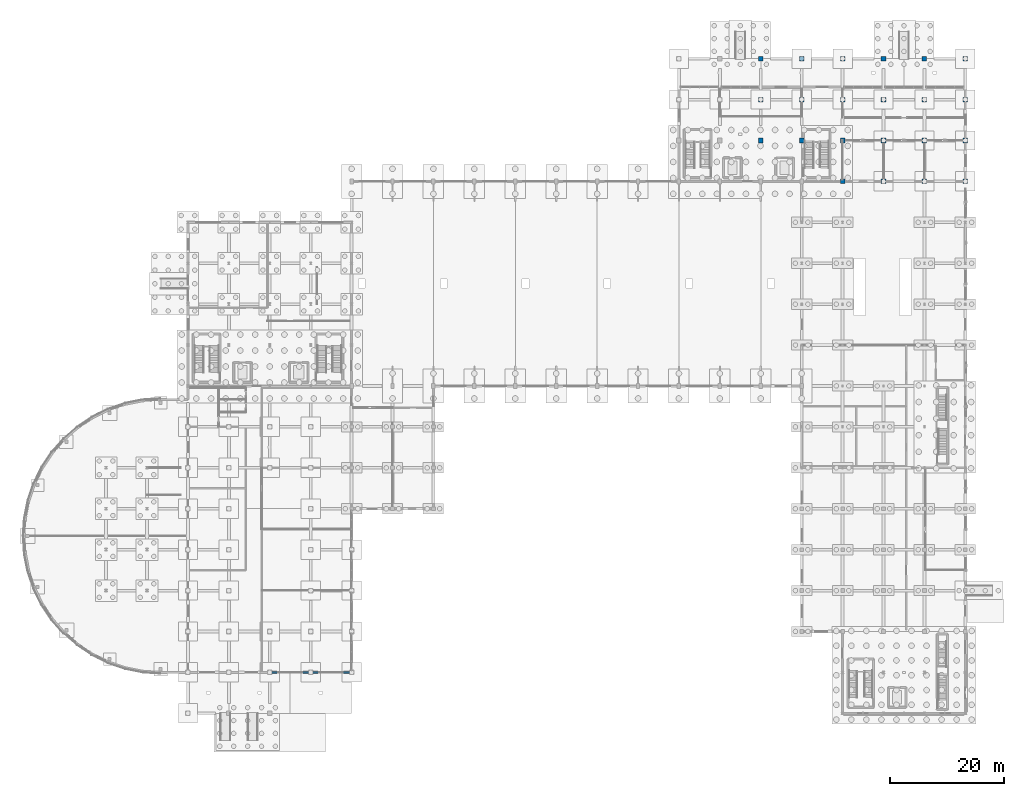
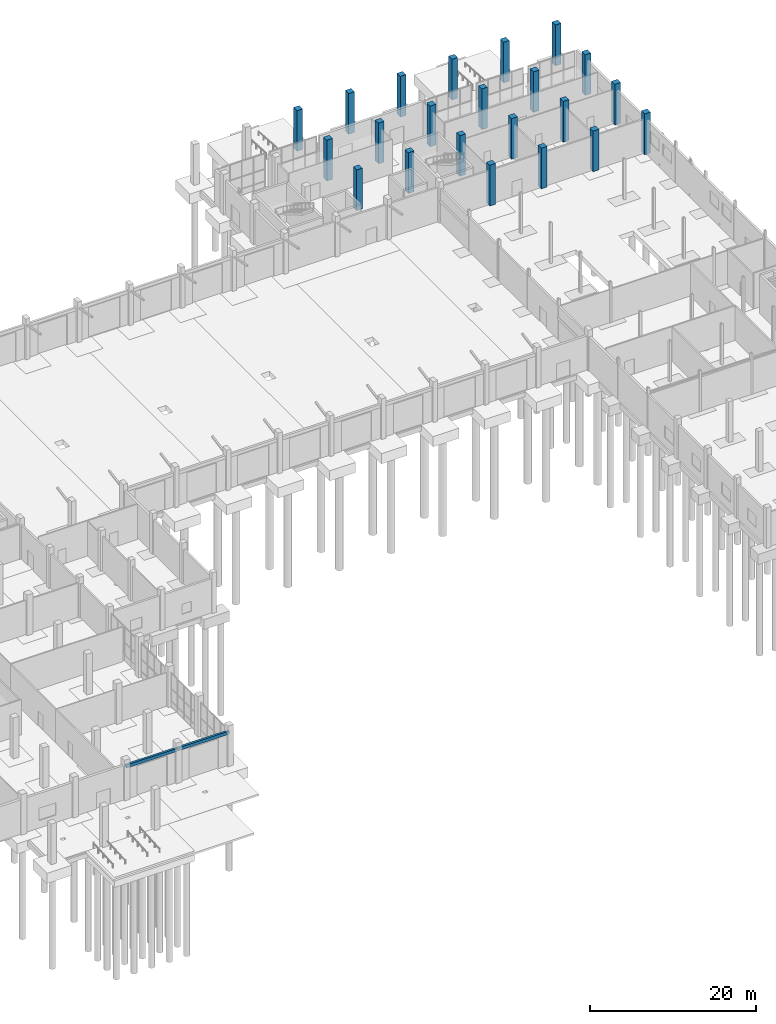
# One storey, part 14 of 45: 22 columns, 2 beams.
"""IFC4 building model written with IfcOpenShell, lengths in metres."""

from ifc_helpers import new_model, si_unit, direction, frame, origin, origin_2d, place, context, subcontext, project, spatial, rectangle, extrude, material, material_profile, profile_set, type_object, element, save


model = new_model("IFC4")

# Units and contexts
model_context = context("Model", 3, precision=1e-05, world=origin(), true_north=direction((0.0, 1.0)))
body_context = subcontext(model_context, "Body", "Model", "MODEL_VIEW")
ifc_project = project(units=[si_unit("LENGTHUNIT", "METRE"), si_unit("AREAUNIT", "SQUARE_METRE"), si_unit("VOLUMEUNIT", "CUBIC_METRE"), si_unit("PLANEANGLEUNIT", "RADIAN"), si_unit("MASSUNIT", "GRAM", prefix="KILO")], contexts=[model_context])

# Site, building, storey
site_placement = place(None, origin())
site = spatial("IfcSite", under=ifc_project, at=site_placement, CompositionType="ELEMENT")
building_placement = place(site_placement, origin())
building = spatial("IfcBuilding", under=site, at=building_placement, Name="Yarey Park Central Fire Station", CompositionType="ELEMENT")
storey_placement = place(building_placement, origin())
storey = spatial("IfcBuildingStorey", under=building, at=storey_placement, Name="L01", CompositionType="ELEMENT", Elevation=0.0)

# Columns
ifc_material_1 = material(Name="Concrete C40/50", Category="concrete")
ifc_material_profile_1 = material_profile(ifc_material_1, rectangle(XDim=0.800048828125, YDim=0.800048828125, at=origin_2d()), Name="RC 800x800")
ifc_profile_set_1 = profile_set([ifc_material_profile_1], Name="Concrete C40/50")
column_type_1 = type_object("IfcColumnType", Name="STR_COL_RC800_EXT", PredefinedType="COLUMN", material=ifc_profile_set_1)
for number, where, z_axis, x_axis, name in (
    (1, (129.60009765625, 115.199951171875, 0.0), (0.0, 0.0, 1.0), (1.0, 0.0, 0.0), "COL_L01_X1296_Y1152"),
    (2, (136.800048828125, 115.199951171875, 0.0), (0.0, 0.0, 1.0), (1.0, 0.0, 0.0), "COL_L01_X1368_Y1152"),
    (3, (144.0, 93.60009765625, 0.0), (0.0, 0.0, 1.0), (1.0, 0.0, 0.0), "COL_L01_X1440_Y936"),
    (4, (144.0, 115.199951171875, 0.0), (0.0, 0.0, 1.0), (1.0, 0.0, 0.0), "COL_L01_X1440_Y1152"),
    (5, (151.199951171875, 93.60009765625, 0.0), (0.0, 0.0, 1.0), (1.0, 0.0, 0.0), "COL_L01_X1512_Y936"),
    (6, (151.199951171875, 115.199951171875, 0.0), (0.0, 0.0, 1.0), (1.0, 0.0, 0.0), "COL_L01_X1512_Y1152"),
    (7, (158.39990234375, 93.60009765625, 0.0), (0.0, 0.0, 1.0), (1.0, 0.0, 0.0), "COL_L01_X1584_Y936"),
    (8, (158.39990234375, 115.199951171875, 0.0), (0.0, 0.0, 1.0), (1.0, 0.0, 0.0), "COL_L01_X1584_Y1152"),
    (9, (165.60009765625, 93.60009765625, 0.0), (0.0, 0.0, 1.0), (1.0, 0.0, 0.0), "COL_L01_X1656_Y936"),
    (10, (165.60009765625, 100.800048828125, 0.0), (0.0, 0.0, 1.0), (1.0, 0.0, 0.0), "COL_L01_X1656_Y1008"),
    (11, (165.60009765625, 108.0, 0.0), (0.0, 0.0, 1.0), (1.0, 0.0, 0.0), "COL_L01_X1656_Y1080"),
    (12, (165.60009765625, 115.199951171875, 0.0), (0.0, 0.0, 1.0), (1.0, 0.0, 0.0), "COL_L01_X1656_Y1152"),
):
    element("IfcColumn", number, at=place(storey_placement, frame(where, z_axis=z_axis, x_axis=x_axis)), inside=storey, type_object=column_type_1, Name=name, PredefinedType="COLUMN", context=body_context, shape_type="SweptSolid", body=[
        extrude(rectangle(XDim=0.800048828125, YDim=0.800048828125, at=origin_2d()), origin(), (0.0, 0.0, 1.0), 6.0),
    ])
ifc_material_profile_2 = material_profile(ifc_material_1, rectangle(XDim=0.800048828125, YDim=0.800048828125, at=origin_2d()), Name="RC 800x800")
ifc_profile_set_2 = profile_set([ifc_material_profile_2], Name="Concrete C40/50")
column_type_2 = type_object("IfcColumnType", Name="STR_COL_RC800_INT", PredefinedType="COLUMN", material=ifc_profile_set_2)
for number, where, z_axis, x_axis, name in (
    (13, (129.60009765625, 100.800048828125, 0.0), (0.0, 0.0, 1.0), (1.0, 0.0, 0.0), "COL_L01_X1296_Y1008"),
    (14, (129.60009765625, 108.0, 0.0), (0.0, 0.0, 1.0), (1.0, 0.0, 0.0), "COL_L01_X1296_Y1080"),
    (15, (136.800048828125, 100.800048828125, 0.0), (0.0, 0.0, 1.0), (1.0, 0.0, 0.0), "COL_L01_X1368_Y1008"),
    (16, (136.800048828125, 108.0, 0.0), (0.0, 0.0, 1.0), (1.0, 0.0, 0.0), "COL_L01_X1368_Y1080"),
    (17, (144.0, 100.800048828125, 0.0), (0.0, 0.0, 1.0), (1.0, 0.0, 0.0), "COL_L01_X1440_Y1008"),
    (18, (144.0, 108.0, 0.0), (0.0, 0.0, 1.0), (1.0, 0.0, 0.0), "COL_L01_X1440_Y1080"),
    (19, (151.199951171875, 100.800048828125, 0.0), (0.0, 0.0, 1.0), (1.0, 0.0, 0.0), "COL_L01_X1512_Y1008"),
    (20, (151.199951171875, 108.0, 0.0), (0.0, 0.0, 1.0), (1.0, 0.0, 0.0), "COL_L01_X1512_Y1080"),
    (21, (158.39990234375, 100.800048828125, 0.0), (0.0, 0.0, 1.0), (1.0, 0.0, 0.0), "COL_L01_X1584_Y1008"),
    (22, (158.39990234375, 108.0, 0.0), (0.0, 0.0, 1.0), (1.0, 0.0, 0.0), "COL_L01_X1584_Y1080"),
):
    element("IfcColumn", number, at=place(storey_placement, frame(where, z_axis=z_axis, x_axis=x_axis)), inside=storey, type_object=column_type_2, Name=name, PredefinedType="COLUMN", context=body_context, shape_type="SweptSolid", body=[
        extrude(rectangle(XDim=0.800048828125, YDim=0.800048828125, at=origin_2d()), origin(), (0.0, 0.0, 1.0), 6.0),
    ])

# Beams
ifc_material_2 = material(Name="Precast concrete C40/50", Category="concrete")
ifc_material_profile_3 = material_profile(ifc_material_2, rectangle(XDim=0.300048828125, YDim=0.449951171875, at=origin_2d()), Name="PC 300x450")
ifc_profile_set_3 = profile_set([ifc_material_profile_3], Name="Precast concrete C40/50")
beam_type = type_object("IfcBeamType", Name="STR_LIN_PC450", PredefinedType="LINTEL", material=ifc_profile_set_3)
beam_1_placement = place(storey_placement, frame((43.199951171875, 7.199951171875, 4.780029296875), z_axis=(1.0, 0.0, 0.0), x_axis=(0.0, 1.0, 0.0)))
element("IfcBeam", 23, at=beam_1_placement, inside=storey, type_object=beam_type, Name="LIN_PLINTH_S1", PredefinedType="LINTEL", context=body_context, shape_type="SweptSolid", body=[
    extrude(rectangle(XDim=0.300048828125, YDim=0.449951171875, at=origin_2d()), origin(), (0.0, 0.0, 1.0), 7.199951171875),
])
beam_2_placement = place(storey_placement, frame((50.39990234375, 7.199951171875, 4.780029296875), z_axis=(1.0, 0.0, 0.0), x_axis=(0.0, 1.0, 0.0)))
element("IfcBeam", 24, at=beam_2_placement, inside=storey, type_object=beam_type, Name="LIN_PLINTH_S2", PredefinedType="LINTEL", context=body_context, shape_type="SweptSolid", body=[
    extrude(rectangle(XDim=0.300048828125, YDim=0.449951171875, at=origin_2d()), origin(), (0.0, 0.0, 1.0), 7.2001953125),
])

save(model, "model.ifc")
